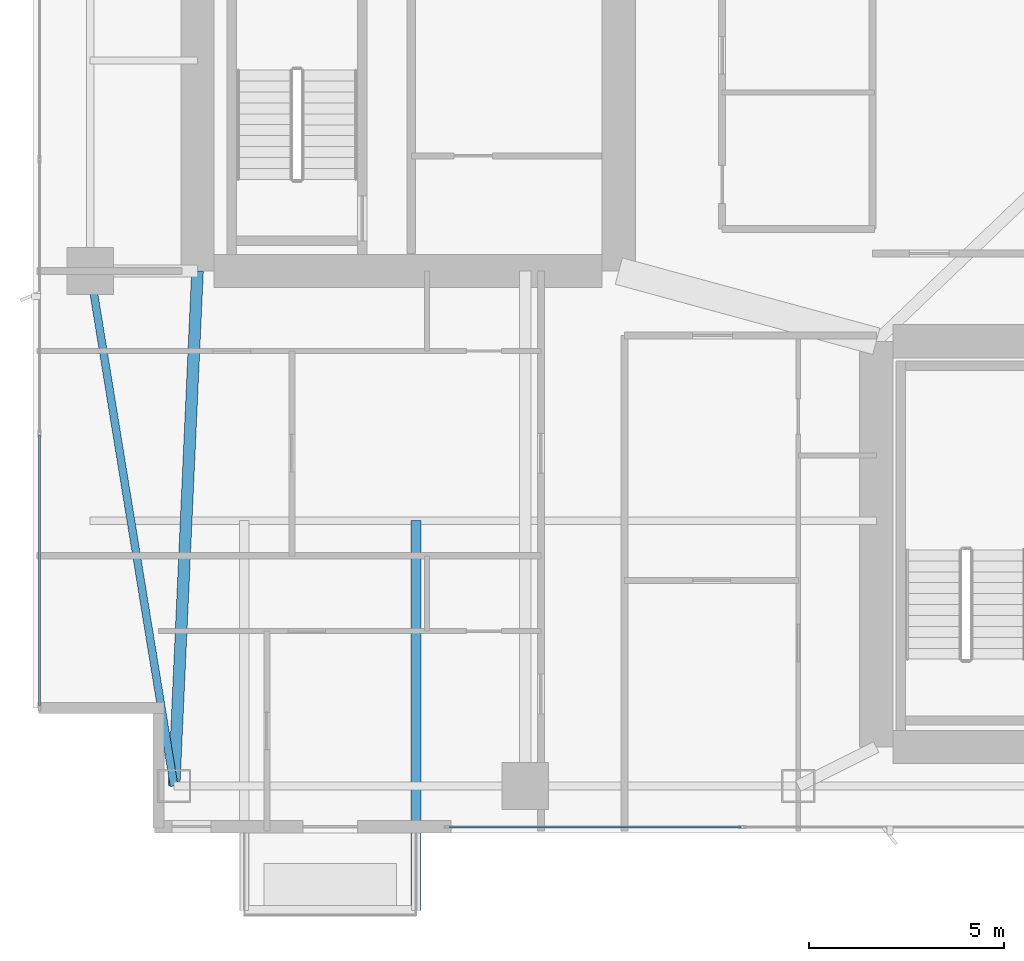
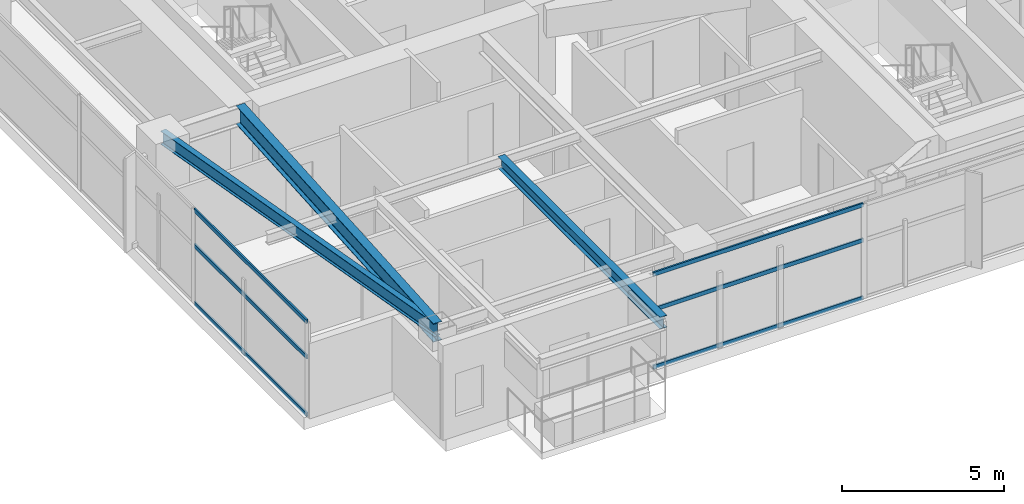
# One storey, part 3 of 28: 6 members, 3 beams, 2 elements without a shape of their own.
"""IFC4 building model written with IfcOpenShell, lengths in metres."""

import ifcopenshell
import ifcopenshell.guid

model = None  # the IFC model being written
_history = None  # IfcOwnerHistory: only IFC2X3 demands one
_inside = {}  # id of a spatial element -> (the spatial element, [elements in it])
_under = {}  # id of a project, library or spatial element -> (it, [spatial elements below it])
_declared = {}  # id of a project -> (the project, [libraries it declares])
_typed = {}  # id of a type object -> (the type object, [elements of that type])
_made_of = {}  # id of a material, layer set ... -> (it, [elements and type objects made of it])


def new_model(schema):
    """Start an empty IFC model of exactly this schema.

    Asked for "IFC4X3", IfcOpenShell would pick the latest addendum, in which some entities
    have other attributes; the version numbers below select the first issue.
    IFC2X3 requires an IfcOwnerHistory on every rooted entity: one is made here for all.
    """
    global model, _history
    if schema == "IFC4X3":
        model = ifcopenshell.file(schema_version=(4, 3, 0, 0))
    else:
        model = ifcopenshell.file(schema=schema)
    _inside.clear()
    _under.clear()
    _declared.clear()
    _typed.clear()
    _made_of.clear()
    _history = None
    if model.schema == "IFC2X3":
        org = make("IfcOrganization", Name="unknown")
        user = make(
            "IfcPersonAndOrganization",
            ThePerson=make("IfcPerson", FamilyName="unknown"),
            TheOrganization=org,
        )
        app = make(
            "IfcApplication",
            ApplicationDeveloper=org,
            Version="unknown",
            ApplicationFullName="unknown",
            ApplicationIdentifier="unknown",
        )
        _history = make(
            "IfcOwnerHistory",
            OwningUser=user,
            OwningApplication=app,
            ChangeAction="ADDED",
            CreationDate=0,
        )
    return model


def make(cls, **values):
    """One entity of the class cls with the attributes given. An attribute that is None is left unset."""
    return model.create_entity(
        cls, **{name: value for name, value in values.items() if value is not None}
    )


def rooted(cls, **values):
    """An entity with a GlobalId (a new one), such as an element, a storey or a relation."""
    return make(cls, GlobalId=ifcopenshell.guid.new(), OwnerHistory=_history, **values)


def si_unit(unit_type, name, prefix=None):
    """IfcSIUnit, for example si_unit("LENGTHUNIT", "METRE", prefix="MILLI")."""
    return make("IfcSIUnit", UnitType=unit_type, Prefix=prefix, Name=name)


def assignment(units):
    """IfcUnitAssignment: the units of a project."""
    return None if units is None else make("IfcUnitAssignment", Units=units)


def point(xyz):
    """IfcCartesianPoint."""
    return None if xyz is None else make("IfcCartesianPoint", Coordinates=xyz)


def direction(xyz):
    """IfcDirection."""
    return None if xyz is None else make("IfcDirection", DirectionRatios=xyz)


def frame(location, z_axis=None, x_axis=None):
    """IfcAxis2Placement3D, a coordinate frame: its origin and axes. An axis left out is left unset."""
    return make(
        "IfcAxis2Placement3D",
        Location=point(location),
        Axis=direction(z_axis),
        RefDirection=direction(x_axis),
    )


def frame_2d(location, x_axis=None):
    """IfcAxis2Placement2D, a coordinate frame in the plane: its origin and x axis."""
    return make(
        "IfcAxis2Placement2D", Location=point(location), RefDirection=direction(x_axis)
    )


def origin():
    """The frame at (0, 0, 0) with its axes left unset."""
    return frame((0.0, 0.0, 0.0))


def origin_2d():
    """The frame at (0, 0) in the plane with its x axis left unset."""
    return frame_2d((0.0, 0.0))


def place(relative_to, where):
    """IfcLocalPlacement: puts the frame where relative to a parent placement (None: the world)."""
    return make(
        "IfcLocalPlacement", PlacementRelTo=relative_to, RelativePlacement=where
    )


def context(
    kind, dimensions, precision=None, world=None, true_north=None, identifier=None
):
    """IfcGeometricRepresentationContext, for example the 3D "Model" context."""
    return make(
        "IfcGeometricRepresentationContext",
        ContextIdentifier=identifier,
        ContextType=kind,
        CoordinateSpaceDimension=dimensions,
        Precision=precision,
        WorldCoordinateSystem=world,
        TrueNorth=true_north,
    )


def subcontext(parent, identifier, kind, view, scale=None):
    """IfcGeometricRepresentationSubContext, for example "Body" below "Model"."""
    return make(
        "IfcGeometricRepresentationSubContext",
        ContextIdentifier=identifier,
        ContextType=kind,
        ParentContext=parent,
        TargetScale=scale,
        TargetView=view,
    )


def project(units=None, contexts=None):
    """IfcProject with its units and contexts."""
    return rooted(
        "IfcProject",
        Name="project",
        RepresentationContexts=contexts,
        UnitsInContext=assignment(units),
    )


def spatial(cls, under=None, at=None, **own):
    """A site, building, storey or space (cls), placed at a placement, below another one or the project."""
    s = rooted(cls, ObjectPlacement=at, **own)
    if under is not None:
        _under.setdefault(under.id(), (under, []))[1].append(s)
    return s


def profile(cls, at=None, kind="AREA", **sizes):
    """A parametric profile (cls). Its sizes go by their IFC names, for example OverallWidth=200.0."""
    return make(cls, ProfileType=kind, Position=at, **sizes)


def hollow_rectangle(**sizes):
    """IfcRectangleHollowProfileDef."""
    return profile("IfcRectangleHollowProfileDef", **sizes)


def i_section(**sizes):
    """IfcIShapeProfileDef."""
    return profile("IfcIShapeProfileDef", **sizes)


def extrude(swept, where, along, depth):
    """IfcExtrudedAreaSolid: the profile swept, set in the frame where, extruded along a direction by depth."""
    return make(
        "IfcExtrudedAreaSolid",
        SweptArea=swept,
        Position=where,
        ExtrudedDirection=direction(along),
        Depth=depth,
    )


def shape(context_of_items, identifier, shape_type, items):
    """IfcShapeRepresentation: the items that make up one representation, for example the "Body"."""
    return make(
        "IfcShapeRepresentation",
        ContextOfItems=context_of_items,
        RepresentationIdentifier=identifier,
        RepresentationType=shape_type,
        Items=items,
    )


def material(Name=None, Category=None):
    """IfcMaterial."""
    return make("IfcMaterial", Name=Name, Category=Category)


def layer(
    of_material, thickness, ventilated=None, Name=None, Category=None, Priority=None
):
    """IfcMaterialLayer: one layer of a wall or slab, of a material (None: an air gap)."""
    return make(
        "IfcMaterialLayer",
        Material=of_material,
        LayerThickness=thickness,
        IsVentilated=ventilated,
        Name=Name,
        Category=Category,
        Priority=Priority,
    )


def layer_set(layers, Name=None):
    """IfcMaterialLayerSet."""
    return make("IfcMaterialLayerSet", MaterialLayers=layers, LayerSetName=Name)


def material_profile(
    of_material, cross_section, Name=None, Category=None, Priority=None
):
    """IfcMaterialProfile: a cross section and its material."""
    return make(
        "IfcMaterialProfile",
        Name=Name,
        Material=of_material,
        Profile=cross_section,
        Priority=Priority,
        Category=Category,
    )


def profile_set(profiles, Name=None, composite=None):
    """IfcMaterialProfileSet."""
    return make(
        "IfcMaterialProfileSet",
        Name=Name,
        MaterialProfiles=profiles,
        CompositeProfile=composite,
    )


def made_of(thing, what):
    """Note that an element or type object is made of a material, layer set ...; save() writes the relation."""
    if what is not None:
        _made_of.setdefault(what.id(), (what, []))[1].append(thing)
    return thing


def type_object(cls, material=None, **own):
    """A type object (cls), such as IfcWallType, which elements share."""
    return made_of(rooted(cls, **own), material)


def element(
    cls,
    number,
    at=None,
    inside=None,
    cuts=None,
    type_object=None,
    material=None,
    context=None,
    identifier="Body",
    shape_type=None,
    held_by="IfcProductDefinitionShape",
    body=None,
    shapes=None,
    **own,
):
    """One element of the class cls, such as IfcWall. Its Tag is "e" and its number.

    at: its placement. inside: the storey or other place that contains it. cuts: it is an
    opening in that element (IfcRelVoidsElement). A single representation is given by context,
    identifier, shape_type and body (its items); several are given by shapes. held_by: the class
    of the entity that holds the representations. save() writes the other relations.
    """
    e = rooted(cls, Tag="e%d" % number, ObjectPlacement=at, **own)
    if body is not None:
        shapes = [shape(context, identifier, shape_type, body)]
    if shapes is not None:
        e.Representation = make(held_by, Representations=shapes)
    if inside is not None:
        _inside.setdefault(inside.id(), (inside, []))[1].append(e)
    if cuts is not None:
        rooted(
            "IfcRelVoidsElement", RelatingBuildingElement=cuts, RelatedOpeningElement=e
        )
    if type_object is not None:
        _typed.setdefault(type_object.id(), (type_object, []))[1].append(e)
    return made_of(e, material)


def aggregate(whole, parts):
    """IfcRelAggregates: a whole, such as a stair, and the parts it consists of."""
    return rooted("IfcRelAggregates", RelatingObject=whole, RelatedObjects=parts)


def save(model, path):
    """Write the relations noted so far, then the file.

    IfcRelAggregates (storeys below a building ...), IfcRelContainedInSpatialStructure (elements
    in a storey), IfcRelDefinesByType, IfcRelAssociatesMaterial and IfcRelDeclares: one each for
    every whole, place, type object, material and project.
    """
    for whole, parts in _under.values():
        aggregate(whole, parts)
    for where, things in _inside.values():
        rooted(
            "IfcRelContainedInSpatialStructure",
            RelatedElements=things,
            RelatingStructure=where,
        )
    for kind, things in _typed.values():
        rooted("IfcRelDefinesByType", RelatedObjects=things, RelatingType=kind)
    for what, things in _made_of.values():
        rooted("IfcRelAssociatesMaterial", RelatedObjects=things, RelatingMaterial=what)
    for by, libraries in _declared.values():
        rooted("IfcRelDeclares", RelatingContext=by, RelatedDefinitions=libraries)
    model.write(path)


model = new_model("IFC4")

# Units and contexts
model_context = context("Model", 3, precision=1e-05, world=origin(), true_north=direction((0.0, 1.0)))
body_context = subcontext(model_context, "Body", "Model", "MODEL_VIEW")
ifc_project = project(units=[si_unit("LENGTHUNIT", "METRE"), si_unit("AREAUNIT", "SQUARE_METRE"), si_unit("VOLUMEUNIT", "CUBIC_METRE"), si_unit("PLANEANGLEUNIT", "RADIAN"), si_unit("MASSUNIT", "GRAM", prefix="KILO")], contexts=[model_context])

# Site, building, storey
site_placement = place(None, origin())
site = spatial("IfcSite", under=ifc_project, at=site_placement, CompositionType="ELEMENT")
building_placement = place(site_placement, origin())
building = spatial("IfcBuilding", under=site, at=building_placement, Name="Calvorn Quay Hotel", CompositionType="ELEMENT")
storey_placement = place(building_placement, frame((0.0, 0.0, 97.39990234375)))
storey = spatial("IfcBuildingStorey", under=building, at=storey_placement, Name="L23", CompositionType="ELEMENT", Elevation=97.39990234375)

# Beams
ifc_material_1 = material(Name="Steel Q355B", Category="steel")
ifc_material_profile_1 = material_profile(ifc_material_1, i_section(OverallWidth=0.25, OverallDepth=0.449951171875, WebThickness=0.011962890625, FlangeThickness=0.01611328125, FilletRadius=0.01611328125, at=origin_2d()), Name="HN450x250x12x16")
ifc_profile_set_1 = profile_set([ifc_material_profile_1], Name="Steel Q355B")
beam_type_1 = type_object("IfcBeamType", Name="BM-CANT-BALC", PredefinedType="BEAM", material=ifc_profile_set_1)
beam_1_placement = place(storey_placement, frame((9.800048828125, 10.39990234375, 3.315185546875), z_axis=(0.0, -1.0, 0.0), x_axis=(1.0, 0.0, 0.0)))
element("IfcBeam", 1, at=beam_1_placement, inside=storey, type_object=beam_type_1, Name="Cantilever Balcony Beam BCB-L24-2B", PredefinedType="BEAM", context=body_context, shape_type="SweptSolid", body=[
    extrude(i_section(OverallWidth=0.25, OverallDepth=0.449951171875, WebThickness=0.011962890625, FlangeThickness=0.01611328125, FilletRadius=0.01611328125, at=origin_2d()), origin(), (0.0, 0.0, 1.0), 9.989990234375),
])
ifc_material_2 = material(Name="Steel Q390GJC", Category="steel")
ifc_material_profile_2 = material_profile(ifc_material_2, i_section(OverallWidth=0.300048828125, OverallDepth=0.699951171875, WebThickness=0.012939453125, FlangeThickness=0.02392578125, FilletRadius=0.02392578125, at=origin_2d()), Name="HN700x300x13x24")
ifc_profile_set_2 = profile_set([ifc_material_profile_2], Name="Steel Q390GJC")
beam_type_2 = type_object("IfcBeamType", Name="BM-GIRD-MAIN", PredefinedType="BEAM", material=ifc_profile_set_2)
beam_2_placement = place(storey_placement, frame((3.60009765625, 3.60009765625, 3.190185546875), z_axis=(0.045396765494, 0.998969035397, 0.0), x_axis=(-0.998969035397, 0.045396765494, 0.0)))
element("IfcBeam", 2, at=beam_2_placement, inside=storey, type_object=beam_type_2, Name="Beam BG-L23-W0", PredefinedType="BEAM", context=body_context, shape_type="SweptSolid", body=[
    extrude(i_section(OverallWidth=0.300048828125, OverallDepth=0.699951171875, WebThickness=0.012939453125, FlangeThickness=0.02392578125, FilletRadius=0.02392578125, at=origin_2d()), origin(), (0.0, 0.0, 1.0), 13.213623046875),
])
ifc_material_3 = material(Name="Steel Q355B", Category="steel")
ifc_material_profile_3 = material_profile(ifc_material_3, i_section(OverallWidth=0.199951171875, OverallDepth=0.5, WebThickness=0.010009765625, FlangeThickness=0.01611328125, FilletRadius=0.01611328125, at=origin_2d()), Name="HN500x200x10x16")
ifc_profile_set_3 = profile_set([ifc_material_profile_3], Name="Steel Q355B")
beam_type_3 = type_object("IfcBeamType", Name="BM-SPANDREL-Z1", PredefinedType="SPANDREL", material=ifc_profile_set_3)
beam_3_placement = place(storey_placement, frame((3.60009765625, 3.60009765625, 3.2900390625), z_axis=(-0.16077155054, 0.986991645627, 0.0), x_axis=(-0.986991645627, -0.16077155054, 0.0)))
element("IfcBeam", 3, at=beam_3_placement, inside=storey, type_object=beam_type_3, Name="Beam BSP-L23-W1", PredefinedType="SPANDREL", context=body_context, shape_type="SweptSolid", body=[
    extrude(i_section(OverallWidth=0.199951171875, OverallDepth=0.5, WebThickness=0.010009765625, FlangeThickness=0.01611328125, FilletRadius=0.01611328125, at=origin_2d()), origin(), (0.0, 0.0, 1.0), 13.3740234375),
])

# Curtain wall, members
ifc_material_4 = material(Name="Pale Anodised Aluminium and Low-E Glass", Category="aluminium")
ifc_layer = layer(ifc_material_4, 0.219970703125)
ifc_layer_set = layer_set([ifc_layer], Name="CW-SYS-Z2")
curtain_wall_type = type_object("IfcCurtainWallType", Name="CW-SYS-Z2", PredefinedType="NOTDEFINED", material=ifc_layer_set)
curtain_wall_1_placement = place(storey_placement, origin())
curtain_wall_1 = element("IfcCurtainWall", 4, at=curtain_wall_1_placement, inside=storey, type_object=curtain_wall_type, Name="Tower West Curtain Wall (L23)", PredefinedType="NOTDEFINED")
ifc_material_5 = material(Name="Pale Anodised Aluminium 6063-T6", Category="aluminium")
ifc_material_profile_4 = material_profile(ifc_material_5, hollow_rectangle(XDim=0.06005859375, YDim=0.14990234375, WallThickness=0.00341796875, at=origin_2d()), Name="ALU-T150x60x3.5")
ifc_profile_set_4 = profile_set([ifc_material_profile_4], Name="Pale Anodised Aluminium 6063-T6")
member_type = type_object("IfcMemberType", Name="CW-SYS-Z2-TRN", PredefinedType="USERDEFINED", material=ifc_profile_set_4)
member_1_placement = place(storey_placement, frame((0.14990234375, 5.659912109375, 0.030029296875), z_axis=(0.0, 1.0, 0.0), x_axis=(-1.0, 0.0, 0.0)))
member_1 = element("IfcMember", 5, at=member_1_placement, type_object=member_type, Name="CW-L23-W transom 1.1", ObjectType="TRANSOM", PredefinedType="USERDEFINED", context=body_context, shape_type="SweptSolid", body=[
    extrude(hollow_rectangle(XDim=0.06005859375, YDim=0.14990234375, WallThickness=0.00341796875, at=origin_2d()), origin(), (0.0, 0.0, 1.0), 6.943359375),
])
member_2_placement = place(storey_placement, frame((0.14990234375, 5.659912109375, 2.2001953125), z_axis=(0.0, 1.0, 0.0), x_axis=(-1.0, 0.0, 0.0)))
member_2 = element("IfcMember", 6, at=member_2_placement, type_object=member_type, Name="CW-L23-W transom 1.2", ObjectType="TRANSOM", PredefinedType="USERDEFINED", context=body_context, shape_type="SweptSolid", body=[
    extrude(hollow_rectangle(XDim=0.06005859375, YDim=0.14990234375, WallThickness=0.00341796875, at=origin_2d()), origin(), (0.0, 0.0, 1.0), 6.943359375),
])
member_3_placement = place(storey_placement, frame((0.14990234375, 5.659912109375, 3.530029296875), z_axis=(0.0, 1.0, 0.0), x_axis=(-1.0, 0.0, 0.0)))
member_3 = element("IfcMember", 7, at=member_3_placement, type_object=member_type, Name="CW-L23-W transom 1.3", ObjectType="TRANSOM", PredefinedType="USERDEFINED", context=body_context, shape_type="SweptSolid", body=[
    extrude(hollow_rectangle(XDim=0.06005859375, YDim=0.14990234375, WallThickness=0.00341796875, at=origin_2d()), origin(), (0.0, 0.0, 1.0), 6.943359375),
])
aggregate(curtain_wall_1, [member_1, member_2, member_3])

curtain_wall_2_placement = place(storey_placement, origin())
curtain_wall_2 = element("IfcCurtainWall", 8, at=curtain_wall_2_placement, inside=storey, type_object=curtain_wall_type, Name="Tower South Waterfront Curtain Wall (L23)", PredefinedType="NOTDEFINED")
member_4_placement = place(storey_placement, frame((10.659912109375, 2.550048828125, 0.030029296875), z_axis=(1.0, 0.0, 0.0), x_axis=(0.0, 1.0, 0.0)))
member_4 = element("IfcMember", 9, at=member_4_placement, type_object=member_type, Name="CW-L23-S transom 1.1", ObjectType="TRANSOM", PredefinedType="USERDEFINED", context=body_context, shape_type="SweptSolid", body=[
    extrude(hollow_rectangle(XDim=0.06005859375, YDim=0.14990234375, WallThickness=0.00341796875, at=origin_2d()), origin(), (0.0, 0.0, 1.0), 7.476806640625),
])
member_5_placement = place(storey_placement, frame((10.659912109375, 2.550048828125, 2.2001953125), z_axis=(1.0, 0.0, 0.0), x_axis=(0.0, 1.0, 0.0)))
member_5 = element("IfcMember", 10, at=member_5_placement, type_object=member_type, Name="CW-L23-S transom 1.2", ObjectType="TRANSOM", PredefinedType="USERDEFINED", context=body_context, shape_type="SweptSolid", body=[
    extrude(hollow_rectangle(XDim=0.06005859375, YDim=0.14990234375, WallThickness=0.00341796875, at=origin_2d()), origin(), (0.0, 0.0, 1.0), 7.476806640625),
])
member_6_placement = place(storey_placement, frame((10.659912109375, 2.550048828125, 3.530029296875), z_axis=(1.0, 0.0, 0.0), x_axis=(0.0, 1.0, 0.0)))
member_6 = element("IfcMember", 11, at=member_6_placement, type_object=member_type, Name="CW-L23-S transom 1.3", ObjectType="TRANSOM", PredefinedType="USERDEFINED", context=body_context, shape_type="SweptSolid", body=[
    extrude(hollow_rectangle(XDim=0.06005859375, YDim=0.14990234375, WallThickness=0.00341796875, at=origin_2d()), origin(), (0.0, 0.0, 1.0), 7.476806640625),
])
aggregate(curtain_wall_2, [member_4, member_5, member_6])

save(model, "model.ifc")
